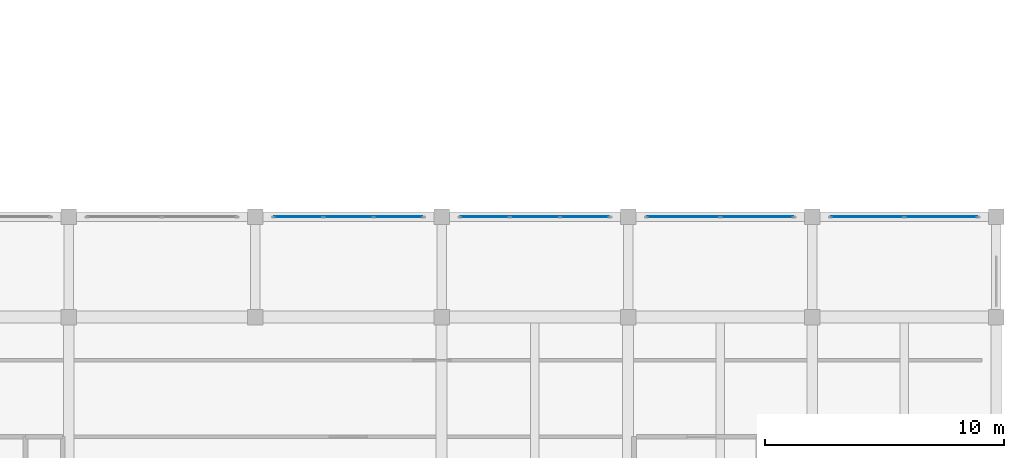
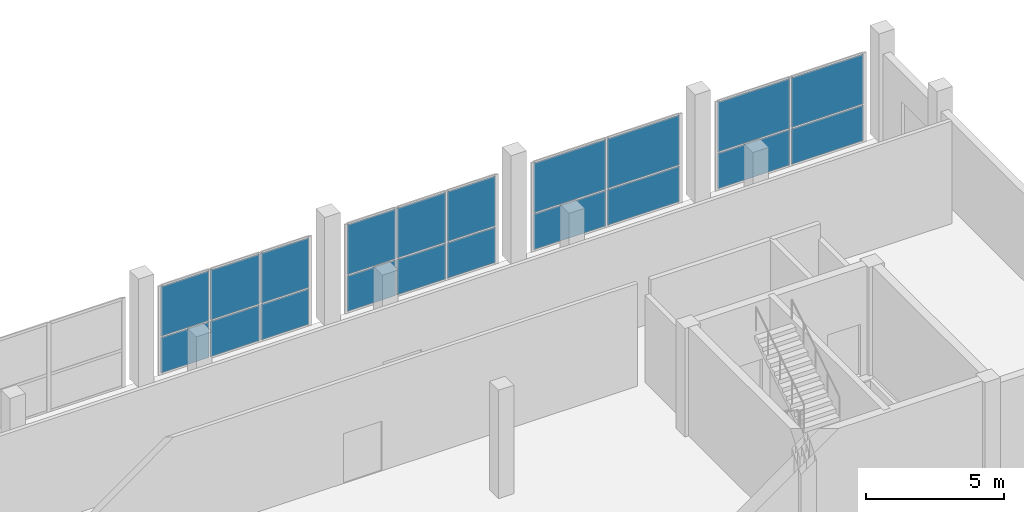
# One storey, part 29 of 47: 20 plates, 4 elements without a shape of their own.
"""IFC4 building model written with IfcOpenShell, lengths in metres."""

import ifcopenshell
import ifcopenshell.guid

model = None  # the IFC model being written
_history = None  # IfcOwnerHistory: only IFC2X3 demands one
_inside = {}  # id of a spatial element -> (the spatial element, [elements in it])
_under = {}  # id of a project, library or spatial element -> (it, [spatial elements below it])
_declared = {}  # id of a project -> (the project, [libraries it declares])
_typed = {}  # id of a type object -> (the type object, [elements of that type])
_made_of = {}  # id of a material, layer set ... -> (it, [elements and type objects made of it])


def new_model(schema):
    """Start an empty IFC model of exactly this schema.

    Asked for "IFC4X3", IfcOpenShell would pick the latest addendum, in which some entities
    have other attributes; the version numbers below select the first issue.
    IFC2X3 requires an IfcOwnerHistory on every rooted entity: one is made here for all.
    """
    global model, _history
    if schema == "IFC4X3":
        model = ifcopenshell.file(schema_version=(4, 3, 0, 0))
    else:
        model = ifcopenshell.file(schema=schema)
    _inside.clear()
    _under.clear()
    _declared.clear()
    _typed.clear()
    _made_of.clear()
    _history = None
    if model.schema == "IFC2X3":
        org = make("IfcOrganization", Name="unknown")
        user = make(
            "IfcPersonAndOrganization",
            ThePerson=make("IfcPerson", FamilyName="unknown"),
            TheOrganization=org,
        )
        app = make(
            "IfcApplication",
            ApplicationDeveloper=org,
            Version="unknown",
            ApplicationFullName="unknown",
            ApplicationIdentifier="unknown",
        )
        _history = make(
            "IfcOwnerHistory",
            OwningUser=user,
            OwningApplication=app,
            ChangeAction="ADDED",
            CreationDate=0,
        )
    return model


def make(cls, **values):
    """One entity of the class cls with the attributes given. An attribute that is None is left unset."""
    return model.create_entity(
        cls, **{name: value for name, value in values.items() if value is not None}
    )


def rooted(cls, **values):
    """An entity with a GlobalId (a new one), such as an element, a storey or a relation."""
    return make(cls, GlobalId=ifcopenshell.guid.new(), OwnerHistory=_history, **values)


def si_unit(unit_type, name, prefix=None):
    """IfcSIUnit, for example si_unit("LENGTHUNIT", "METRE", prefix="MILLI")."""
    return make("IfcSIUnit", UnitType=unit_type, Prefix=prefix, Name=name)


def assignment(units):
    """IfcUnitAssignment: the units of a project."""
    return None if units is None else make("IfcUnitAssignment", Units=units)


def point(xyz):
    """IfcCartesianPoint."""
    return None if xyz is None else make("IfcCartesianPoint", Coordinates=xyz)


def direction(xyz):
    """IfcDirection."""
    return None if xyz is None else make("IfcDirection", DirectionRatios=xyz)


def frame(location, z_axis=None, x_axis=None):
    """IfcAxis2Placement3D, a coordinate frame: its origin and axes. An axis left out is left unset."""
    return make(
        "IfcAxis2Placement3D",
        Location=point(location),
        Axis=direction(z_axis),
        RefDirection=direction(x_axis),
    )


def frame_2d(location, x_axis=None):
    """IfcAxis2Placement2D, a coordinate frame in the plane: its origin and x axis."""
    return make(
        "IfcAxis2Placement2D", Location=point(location), RefDirection=direction(x_axis)
    )


def origin():
    """The frame at (0, 0, 0) with its axes left unset."""
    return frame((0.0, 0.0, 0.0))


def origin_2d():
    """The frame at (0, 0) in the plane with its x axis left unset."""
    return frame_2d((0.0, 0.0))


def place(relative_to, where):
    """IfcLocalPlacement: puts the frame where relative to a parent placement (None: the world)."""
    return make(
        "IfcLocalPlacement", PlacementRelTo=relative_to, RelativePlacement=where
    )


def context(
    kind, dimensions, precision=None, world=None, true_north=None, identifier=None
):
    """IfcGeometricRepresentationContext, for example the 3D "Model" context."""
    return make(
        "IfcGeometricRepresentationContext",
        ContextIdentifier=identifier,
        ContextType=kind,
        CoordinateSpaceDimension=dimensions,
        Precision=precision,
        WorldCoordinateSystem=world,
        TrueNorth=true_north,
    )


def subcontext(parent, identifier, kind, view, scale=None):
    """IfcGeometricRepresentationSubContext, for example "Body" below "Model"."""
    return make(
        "IfcGeometricRepresentationSubContext",
        ContextIdentifier=identifier,
        ContextType=kind,
        ParentContext=parent,
        TargetScale=scale,
        TargetView=view,
    )


def project(units=None, contexts=None):
    """IfcProject with its units and contexts."""
    return rooted(
        "IfcProject",
        Name="project",
        RepresentationContexts=contexts,
        UnitsInContext=assignment(units),
    )


def spatial(cls, under=None, at=None, **own):
    """A site, building, storey or space (cls), placed at a placement, below another one or the project."""
    s = rooted(cls, ObjectPlacement=at, **own)
    if under is not None:
        _under.setdefault(under.id(), (under, []))[1].append(s)
    return s


def profile(cls, at=None, kind="AREA", **sizes):
    """A parametric profile (cls). Its sizes go by their IFC names, for example OverallWidth=200.0."""
    return make(cls, ProfileType=kind, Position=at, **sizes)


def rectangle(**sizes):
    """IfcRectangleProfileDef."""
    return profile("IfcRectangleProfileDef", **sizes)


def extrude(swept, where, along, depth):
    """IfcExtrudedAreaSolid: the profile swept, set in the frame where, extruded along a direction by depth."""
    return make(
        "IfcExtrudedAreaSolid",
        SweptArea=swept,
        Position=where,
        ExtrudedDirection=direction(along),
        Depth=depth,
    )


def shape(context_of_items, identifier, shape_type, items):
    """IfcShapeRepresentation: the items that make up one representation, for example the "Body"."""
    return make(
        "IfcShapeRepresentation",
        ContextOfItems=context_of_items,
        RepresentationIdentifier=identifier,
        RepresentationType=shape_type,
        Items=items,
    )


def material(Name=None, Category=None):
    """IfcMaterial."""
    return make("IfcMaterial", Name=Name, Category=Category)


def layer(
    of_material, thickness, ventilated=None, Name=None, Category=None, Priority=None
):
    """IfcMaterialLayer: one layer of a wall or slab, of a material (None: an air gap)."""
    return make(
        "IfcMaterialLayer",
        Material=of_material,
        LayerThickness=thickness,
        IsVentilated=ventilated,
        Name=Name,
        Category=Category,
        Priority=Priority,
    )


def layer_set(layers, Name=None):
    """IfcMaterialLayerSet."""
    return make("IfcMaterialLayerSet", MaterialLayers=layers, LayerSetName=Name)


def made_of(thing, what):
    """Note that an element or type object is made of a material, layer set ...; save() writes the relation."""
    if what is not None:
        _made_of.setdefault(what.id(), (what, []))[1].append(thing)
    return thing


def type_object(cls, material=None, **own):
    """A type object (cls), such as IfcWallType, which elements share."""
    return made_of(rooted(cls, **own), material)


def element(
    cls,
    number,
    at=None,
    inside=None,
    cuts=None,
    type_object=None,
    material=None,
    context=None,
    identifier="Body",
    shape_type=None,
    held_by="IfcProductDefinitionShape",
    body=None,
    shapes=None,
    **own,
):
    """One element of the class cls, such as IfcWall. Its Tag is "e" and its number.

    at: its placement. inside: the storey or other place that contains it. cuts: it is an
    opening in that element (IfcRelVoidsElement). A single representation is given by context,
    identifier, shape_type and body (its items); several are given by shapes. held_by: the class
    of the entity that holds the representations. save() writes the other relations.
    """
    e = rooted(cls, Tag="e%d" % number, ObjectPlacement=at, **own)
    if body is not None:
        shapes = [shape(context, identifier, shape_type, body)]
    if shapes is not None:
        e.Representation = make(held_by, Representations=shapes)
    if inside is not None:
        _inside.setdefault(inside.id(), (inside, []))[1].append(e)
    if cuts is not None:
        rooted(
            "IfcRelVoidsElement", RelatingBuildingElement=cuts, RelatedOpeningElement=e
        )
    if type_object is not None:
        _typed.setdefault(type_object.id(), (type_object, []))[1].append(e)
    return made_of(e, material)


def aggregate(whole, parts):
    """IfcRelAggregates: a whole, such as a stair, and the parts it consists of."""
    return rooted("IfcRelAggregates", RelatingObject=whole, RelatedObjects=parts)


def save(model, path):
    """Write the relations noted so far, then the file.

    IfcRelAggregates (storeys below a building ...), IfcRelContainedInSpatialStructure (elements
    in a storey), IfcRelDefinesByType, IfcRelAssociatesMaterial and IfcRelDeclares: one each for
    every whole, place, type object, material and project.
    """
    for whole, parts in _under.values():
        aggregate(whole, parts)
    for where, things in _inside.values():
        rooted(
            "IfcRelContainedInSpatialStructure",
            RelatedElements=things,
            RelatingStructure=where,
        )
    for kind, things in _typed.values():
        rooted("IfcRelDefinesByType", RelatedObjects=things, RelatingType=kind)
    for what, things in _made_of.values():
        rooted("IfcRelAssociatesMaterial", RelatedObjects=things, RelatingMaterial=what)
    for by, libraries in _declared.values():
        rooted("IfcRelDeclares", RelatingContext=by, RelatedDefinitions=libraries)
    model.write(path)


model = new_model("IFC4")

# Units and contexts
model_context = context("Model", 3, precision=1e-05, world=origin(), true_north=direction((0.0, 1.0)))
body_context = subcontext(model_context, "Body", "Model", "MODEL_VIEW")
ifc_project = project(units=[si_unit("LENGTHUNIT", "METRE"), si_unit("AREAUNIT", "SQUARE_METRE"), si_unit("VOLUMEUNIT", "CUBIC_METRE"), si_unit("PLANEANGLEUNIT", "RADIAN"), si_unit("MASSUNIT", "GRAM", prefix="KILO")], contexts=[model_context])

# Site, building, storey
site_placement = place(None, origin())
site = spatial("IfcSite", under=ifc_project, at=site_placement, CompositionType="ELEMENT")
building_placement = place(site_placement, origin())
building = spatial("IfcBuilding", under=site, at=building_placement, Name="Vharandega Faculty of Natural Sciences", CompositionType="ELEMENT")
storey_placement = place(building_placement, frame((0.0, 0.0, 5.39990234375)))
storey = spatial("IfcBuildingStorey", under=building, at=storey_placement, Name="L01", CompositionType="ELEMENT", Elevation=5.39990234375)

# Curtain wall, plates
ifc_material_1 = material(Name="Aluminium and solar-control glass curtain wall", Category="aluminium")
curtain_wall_type_1 = type_object("IfcCurtainWallType", Name="Unitised Curtain Wall System CW-05", PredefinedType="NOTDEFINED", material=ifc_material_1)
curtain_wall_1_placement = place(storey_placement, origin())
curtain_wall_1 = element("IfcCurtainWall", 1, at=curtain_wall_1_placement, inside=storey, type_object=curtain_wall_type_1, Name="Curtain Wall CW-L01-004", PredefinedType="NOTDEFINED")
ifc_material_2 = material(Name="Double-glazed low-E solar glass", Category="glass")
ifc_layer = layer(ifc_material_2, 0.028076171875, Name="Double-glazed low-E solar glass")
ifc_layer_set = layer_set([ifc_layer], Name="Double-glazed low-E solar glass")
plate_type = type_object("IfcPlateType", Name="CW Solar Vision Panel 28mm", PredefinedType="CURTAIN_PANEL", material=ifc_layer_set)
plate_1_placement = place(storey_placement, frame((132.208251953125, 85.0, 0.06005859375), z_axis=(0.0, 0.0, 1.0), x_axis=(1.0, 0.0, 0.0)))
plate_1 = element("IfcPlate", 2, at=plate_1_placement, type_object=plate_type, Name="CW-05 panel 1.1", PredefinedType="CURTAIN_PANEL", context=body_context, shape_type="SweptSolid", body=[
    extrude(rectangle(XDim=2.0166015625, YDim=0.028076171875, at=origin_2d()), origin(), (0.0, 0.0, 1.0), 1.569091796875),
])
plate_2_placement = place(storey_placement, frame((132.208251953125, 85.0, 1.68896484375), z_axis=(0.0, 0.0, 1.0), x_axis=(1.0, 0.0, 0.0)))
plate_2 = element("IfcPlate", 3, at=plate_2_placement, type_object=plate_type, Name="CW-05 panel 1.2", PredefinedType="CURTAIN_PANEL", context=body_context, shape_type="SweptSolid", body=[
    extrude(rectangle(XDim=2.0166015625, YDim=0.028076171875, at=origin_2d()), origin(), (0.0, 0.0, 1.0), 2.200927734375),
])
plate_3_placement = place(storey_placement, frame((134.300048828125, 85.0, 0.06005859375), z_axis=(0.0, 0.0, 1.0), x_axis=(1.0, 0.0, 0.0)))
plate_3 = element("IfcPlate", 4, at=plate_3_placement, type_object=plate_type, Name="CW-05 panel 2.1", PredefinedType="CURTAIN_PANEL", context=body_context, shape_type="SweptSolid", body=[
    extrude(rectangle(XDim=2.046630859375, YDim=0.028076171875, at=origin_2d()), origin(), (0.0, 0.0, 1.0), 1.569091796875),
])
plate_4_placement = place(storey_placement, frame((134.300048828125, 85.0, 1.68896484375), z_axis=(0.0, 0.0, 1.0), x_axis=(1.0, 0.0, 0.0)))
plate_4 = element("IfcPlate", 5, at=plate_4_placement, type_object=plate_type, Name="CW-05 panel 2.2", PredefinedType="CURTAIN_PANEL", context=body_context, shape_type="SweptSolid", body=[
    extrude(rectangle(XDim=2.046630859375, YDim=0.028076171875, at=origin_2d()), origin(), (0.0, 0.0, 1.0), 2.200927734375),
])
plate_5_placement = place(storey_placement, frame((136.3916015625, 85.0, 0.06005859375), z_axis=(0.0, 0.0, 1.0), x_axis=(1.0, 0.0, 0.0)))
plate_5 = element("IfcPlate", 6, at=plate_5_placement, type_object=plate_type, Name="CW-05 panel 3.1", PredefinedType="CURTAIN_PANEL", context=body_context, shape_type="SweptSolid", body=[
    extrude(rectangle(XDim=2.0166015625, YDim=0.028076171875, at=origin_2d()), origin(), (0.0, 0.0, 1.0), 1.569091796875),
])
plate_6_placement = place(storey_placement, frame((136.3916015625, 85.0, 1.68896484375), z_axis=(0.0, 0.0, 1.0), x_axis=(1.0, 0.0, 0.0)))
plate_6 = element("IfcPlate", 7, at=plate_6_placement, type_object=plate_type, Name="CW-05 panel 3.2", PredefinedType="CURTAIN_PANEL", context=body_context, shape_type="SweptSolid", body=[
    extrude(rectangle(XDim=2.0166015625, YDim=0.028076171875, at=origin_2d()), origin(), (0.0, 0.0, 1.0), 2.200927734375),
])
aggregate(curtain_wall_1, [plate_1, plate_2, plate_3, plate_4, plate_5, plate_6])

ifc_material_3 = material(Name="Aluminium and solar-control glass curtain wall", Category="aluminium")
curtain_wall_type_2 = type_object("IfcCurtainWallType", Name="Unitised Curtain Wall System CW-06", PredefinedType="NOTDEFINED", material=ifc_material_3)
curtain_wall_2_placement = place(storey_placement, origin())
curtain_wall_2 = element("IfcCurtainWall", 8, at=curtain_wall_2_placement, inside=storey, type_object=curtain_wall_type_2, Name="Curtain Wall CW-L01-005", PredefinedType="NOTDEFINED")
plate_7_placement = place(storey_placement, frame((140.00830078125, 85.0, 0.06005859375), z_axis=(0.0, 0.0, 1.0), x_axis=(1.0, 0.0, 0.0)))
plate_7 = element("IfcPlate", 9, at=plate_7_placement, type_object=plate_type, Name="CW-06 panel 1.1", PredefinedType="CURTAIN_PANEL", context=body_context, shape_type="SweptSolid", body=[
    extrude(rectangle(XDim=2.0166015625, YDim=0.028076171875, at=origin_2d()), origin(), (0.0, 0.0, 1.0), 1.569091796875),
])
plate_8_placement = place(storey_placement, frame((140.00830078125, 85.0, 1.68896484375), z_axis=(0.0, 0.0, 1.0), x_axis=(1.0, 0.0, 0.0)))
plate_8 = element("IfcPlate", 10, at=plate_8_placement, type_object=plate_type, Name="CW-06 panel 1.2", PredefinedType="CURTAIN_PANEL", context=body_context, shape_type="SweptSolid", body=[
    extrude(rectangle(XDim=2.0166015625, YDim=0.028076171875, at=origin_2d()), origin(), (0.0, 0.0, 1.0), 2.200927734375),
])
plate_9_placement = place(storey_placement, frame((142.10009765625, 85.0, 0.06005859375), z_axis=(0.0, 0.0, 1.0), x_axis=(1.0, 0.0, 0.0)))
plate_9 = element("IfcPlate", 11, at=plate_9_placement, type_object=plate_type, Name="CW-06 panel 2.1", PredefinedType="CURTAIN_PANEL", context=body_context, shape_type="SweptSolid", body=[
    extrude(rectangle(XDim=2.046630859375, YDim=0.028076171875, at=origin_2d()), origin(), (0.0, 0.0, 1.0), 1.569091796875),
])
plate_10_placement = place(storey_placement, frame((142.10009765625, 85.0, 1.68896484375), z_axis=(0.0, 0.0, 1.0), x_axis=(1.0, 0.0, 0.0)))
plate_10 = element("IfcPlate", 12, at=plate_10_placement, type_object=plate_type, Name="CW-06 panel 2.2", PredefinedType="CURTAIN_PANEL", context=body_context, shape_type="SweptSolid", body=[
    extrude(rectangle(XDim=2.046630859375, YDim=0.028076171875, at=origin_2d()), origin(), (0.0, 0.0, 1.0), 2.200927734375),
])
plate_11_placement = place(storey_placement, frame((144.191650390625, 85.0, 0.06005859375), z_axis=(0.0, 0.0, 1.0), x_axis=(1.0, 0.0, 0.0)))
plate_11 = element("IfcPlate", 13, at=plate_11_placement, type_object=plate_type, Name="CW-06 panel 3.1", PredefinedType="CURTAIN_PANEL", context=body_context, shape_type="SweptSolid", body=[
    extrude(rectangle(XDim=2.0166015625, YDim=0.028076171875, at=origin_2d()), origin(), (0.0, 0.0, 1.0), 1.569091796875),
])
plate_12_placement = place(storey_placement, frame((144.191650390625, 85.0, 1.68896484375), z_axis=(0.0, 0.0, 1.0), x_axis=(1.0, 0.0, 0.0)))
plate_12 = element("IfcPlate", 14, at=plate_12_placement, type_object=plate_type, Name="CW-06 panel 3.2", PredefinedType="CURTAIN_PANEL", context=body_context, shape_type="SweptSolid", body=[
    extrude(rectangle(XDim=2.0166015625, YDim=0.028076171875, at=origin_2d()), origin(), (0.0, 0.0, 1.0), 2.200927734375),
])
aggregate(curtain_wall_2, [plate_7, plate_8, plate_9, plate_10, plate_11, plate_12])

ifc_material_4 = material(Name="Aluminium and solar-control glass curtain wall", Category="aluminium")
curtain_wall_type_3 = type_object("IfcCurtainWallType", Name="Unitised Curtain Wall System CW-07", PredefinedType="NOTDEFINED", material=ifc_material_4)
curtain_wall_3_placement = place(storey_placement, origin())
curtain_wall_3 = element("IfcCurtainWall", 15, at=curtain_wall_3_placement, inside=storey, type_object=curtain_wall_type_3, Name="Curtain Wall CW-L01-006", PredefinedType="NOTDEFINED")
plate_13_placement = place(storey_placement, frame((148.31005859375, 85.0, 0.06005859375), z_axis=(0.0, 0.0, 1.0), x_axis=(1.0, 0.0, 0.0)))
plate_13 = element("IfcPlate", 16, at=plate_13_placement, type_object=plate_type, Name="CW-07 panel 1.1", PredefinedType="CURTAIN_PANEL", context=body_context, shape_type="SweptSolid", body=[
    extrude(rectangle(XDim=3.02001953125, YDim=0.028076171875, at=origin_2d()), origin(), (0.0, 0.0, 1.0), 1.569091796875),
])
plate_14_placement = place(storey_placement, frame((148.31005859375, 85.0, 1.68896484375), z_axis=(0.0, 0.0, 1.0), x_axis=(1.0, 0.0, 0.0)))
plate_14 = element("IfcPlate", 17, at=plate_14_placement, type_object=plate_type, Name="CW-07 panel 1.2", PredefinedType="CURTAIN_PANEL", context=body_context, shape_type="SweptSolid", body=[
    extrude(rectangle(XDim=3.02001953125, YDim=0.028076171875, at=origin_2d()), origin(), (0.0, 0.0, 1.0), 2.200927734375),
])
plate_15_placement = place(storey_placement, frame((151.389892578125, 85.0, 0.06005859375), z_axis=(0.0, 0.0, 1.0), x_axis=(1.0, 0.0, 0.0)))
plate_15 = element("IfcPlate", 18, at=plate_15_placement, type_object=plate_type, Name="CW-07 panel 2.1", PredefinedType="CURTAIN_PANEL", context=body_context, shape_type="SweptSolid", body=[
    extrude(rectangle(XDim=3.02001953125, YDim=0.028076171875, at=origin_2d()), origin(), (0.0, 0.0, 1.0), 1.569091796875),
])
plate_16_placement = place(storey_placement, frame((151.389892578125, 85.0, 1.68896484375), z_axis=(0.0, 0.0, 1.0), x_axis=(1.0, 0.0, 0.0)))
plate_16 = element("IfcPlate", 19, at=plate_16_placement, type_object=plate_type, Name="CW-07 panel 2.2", PredefinedType="CURTAIN_PANEL", context=body_context, shape_type="SweptSolid", body=[
    extrude(rectangle(XDim=3.02001953125, YDim=0.028076171875, at=origin_2d()), origin(), (0.0, 0.0, 1.0), 2.200927734375),
])
aggregate(curtain_wall_3, [plate_13, plate_14, plate_15, plate_16])

ifc_material_5 = material(Name="Aluminium and solar-control glass curtain wall", Category="aluminium")
curtain_wall_type_4 = type_object("IfcCurtainWallType", Name="Unitised Curtain Wall System CW-08", PredefinedType="NOTDEFINED", material=ifc_material_5)
curtain_wall_4_placement = place(storey_placement, origin())
curtain_wall_4 = element("IfcCurtainWall", 20, at=curtain_wall_4_placement, inside=storey, type_object=curtain_wall_type_4, Name="Curtain Wall CW-L01-007", PredefinedType="NOTDEFINED")
plate_17_placement = place(storey_placement, frame((156.010009765625, 85.0, 0.06005859375), z_axis=(0.0, 0.0, 1.0), x_axis=(1.0, 0.0, 0.0)))
plate_17 = element("IfcPlate", 21, at=plate_17_placement, type_object=plate_type, Name="CW-08 panel 1.1", PredefinedType="CURTAIN_PANEL", context=body_context, shape_type="SweptSolid", body=[
    extrude(rectangle(XDim=3.02001953125, YDim=0.028076171875, at=origin_2d()), origin(), (0.0, 0.0, 1.0), 1.569091796875),
])
plate_18_placement = place(storey_placement, frame((156.010009765625, 85.0, 1.68896484375), z_axis=(0.0, 0.0, 1.0), x_axis=(1.0, 0.0, 0.0)))
plate_18 = element("IfcPlate", 22, at=plate_18_placement, type_object=plate_type, Name="CW-08 panel 1.2", PredefinedType="CURTAIN_PANEL", context=body_context, shape_type="SweptSolid", body=[
    extrude(rectangle(XDim=3.02001953125, YDim=0.028076171875, at=origin_2d()), origin(), (0.0, 0.0, 1.0), 2.200927734375),
])
plate_19_placement = place(storey_placement, frame((159.090087890625, 85.0, 0.06005859375), z_axis=(0.0, 0.0, 1.0), x_axis=(1.0, 0.0, 0.0)))
plate_19 = element("IfcPlate", 23, at=plate_19_placement, type_object=plate_type, Name="CW-08 panel 2.1", PredefinedType="CURTAIN_PANEL", context=body_context, shape_type="SweptSolid", body=[
    extrude(rectangle(XDim=3.02001953125, YDim=0.028076171875, at=origin_2d()), origin(), (0.0, 0.0, 1.0), 1.569091796875),
])
plate_20_placement = place(storey_placement, frame((159.090087890625, 85.0, 1.68896484375), z_axis=(0.0, 0.0, 1.0), x_axis=(1.0, 0.0, 0.0)))
plate_20 = element("IfcPlate", 24, at=plate_20_placement, type_object=plate_type, Name="CW-08 panel 2.2", PredefinedType="CURTAIN_PANEL", context=body_context, shape_type="SweptSolid", body=[
    extrude(rectangle(XDim=3.02001953125, YDim=0.028076171875, at=origin_2d()), origin(), (0.0, 0.0, 1.0), 2.200927734375),
])
aggregate(curtain_wall_4, [plate_17, plate_18, plate_19, plate_20])

save(model, "model.ifc")
